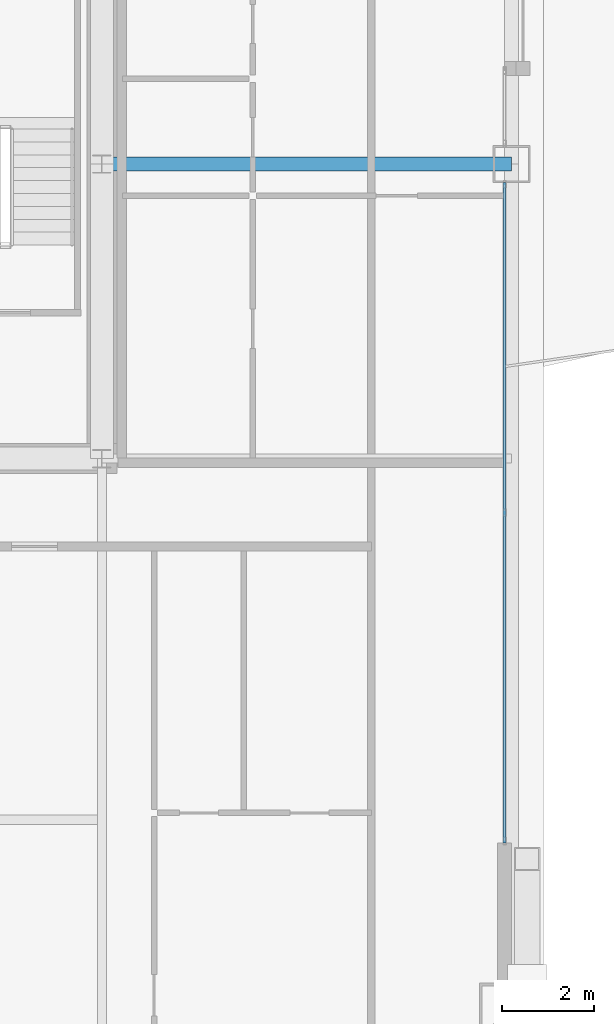
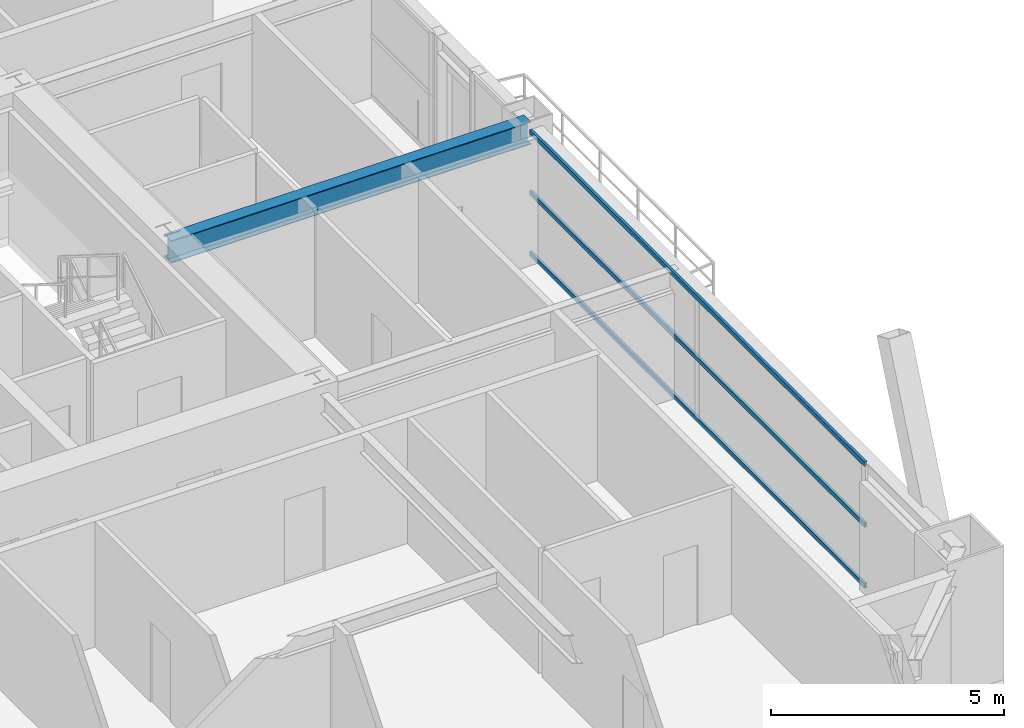
# One storey, part 25 of 45: 3 members, 1 beam, 1 element without a shape of its own.
"""IFC4 building model written with IfcOpenShell, lengths in metres."""

from ifc_helpers import new_model, si_unit, direction, frame, origin, origin_2d, place, context, subcontext, project, spatial, hollow_rectangle, i_section, extrude, source, transform, mapped, material, layer, layer_set, material_profile, profile_set, type_object, element, aggregate, save


model = new_model("IFC4")

# Units and contexts
model_context = context("Model", 3, precision=1e-05, world=origin(), true_north=direction((0.0, 1.0)))
body_context = subcontext(model_context, "Body", "Model", "MODEL_VIEW")
ifc_project = project(units=[si_unit("LENGTHUNIT", "METRE"), si_unit("AREAUNIT", "SQUARE_METRE"), si_unit("VOLUMEUNIT", "CUBIC_METRE"), si_unit("PLANEANGLEUNIT", "RADIAN"), si_unit("MASSUNIT", "GRAM", prefix="KILO"), si_unit("THERMODYNAMICTEMPERATUREUNIT", "KELVIN"), si_unit("POWERUNIT", "WATT")], contexts=[model_context])

# Site, building, storey
site_placement = place(None, origin())
site = spatial("IfcSite", under=ifc_project, at=site_placement, CompositionType="ELEMENT")
building_placement = place(site_placement, origin())
building = spatial("IfcBuilding", under=site, at=building_placement, Name="Yuzanri Waterfront Tower", CompositionType="ELEMENT")
storey_placement = place(building_placement, frame((0.0, 0.0, 191.5)))
storey = spatial("IfcBuildingStorey", under=building, at=storey_placement, Name="L50", CompositionType="ELEMENT", Elevation=191.5)

# Beam
ifc_material_1 = material(Name="Steel Q355B", Category="steel")
ifc_material_profile_1 = material_profile(ifc_material_1, i_section(OverallWidth=0.300048828125, OverallDepth=0.587890625, WebThickness=0.011962890625, FlangeThickness=0.02001953125, at=origin_2d()), Name="HM 588x300x12x20")
ifc_profile_set_1 = profile_set([ifc_material_profile_1], Name="Steel Q355B")
beam_type = type_object("IfcBeamType", Name="Primary Floor Girder Q355B HM 588x300", PredefinedType="BEAM", material=ifc_profile_set_1)
shared_shape_1 = source(origin(), body_context, "Body", "SweptSolid", [
    extrude(i_section(OverallWidth=0.300048828125, OverallDepth=0.587890625, WebThickness=0.011962890625, FlangeThickness=0.02001953125, at=origin_2d()), origin(), (0.0, 0.0, 1.0), 8.900146484375),
])
beam_placement = place(storey_placement, frame((50.199951171875, 25.800048828125, 2.986083984375), z_axis=(1.0, 0.0, 0.0), x_axis=(0.0, 1.0, 0.0)))
element("IfcBeam", 1, at=beam_placement, inside=storey, type_object=beam_type, Name="L50 East Grid Girder", PredefinedType="BEAM", context=body_context, shape_type="MappedRepresentation", body=[
    mapped(shared_shape_1, transform((0.0, 0.0, 0.0), scale=1.0)),
])

# Curtain wall, members
ifc_material_2 = material(Name="Anodized Architectural Bronze", Category="metal")
ifc_layer = layer(ifc_material_2, 0.159912109375)
ifc_layer_set = layer_set([ifc_layer], Name="Anodized Architectural Bronze")
curtain_wall_type = type_object("IfcCurtainWallType", Name="Anodized Bronze Mid-Rise Residential Acoustic Unitized Curtain Wall 7200", PredefinedType="NOTDEFINED", material=ifc_layer_set)
curtain_wall_placement = place(storey_placement, origin())
curtain_wall = element("IfcCurtainWall", 2, at=curtain_wall_placement, inside=storey, type_object=curtain_wall_type, Name="L50 Curtain Wall CW-L50-EL", PredefinedType="NOTDEFINED")
ifc_material_3 = material(Name="Anodized Architectural Bronze", Category="metal")
ifc_material_profile_2 = material_profile(ifc_material_3, hollow_rectangle(XDim=0.06494140625, YDim=0.1201171875, WallThickness=0.00341796875, at=origin_2d()), Name="CWT 65x120")
ifc_profile_set_2 = profile_set([ifc_material_profile_2], Name="Anodized Architectural Bronze")
member_type = type_object("IfcMemberType", Name="Anodized Bronze Secondary Curtain-Wall Transom 65x120", PredefinedType="USERDEFINED", material=ifc_profile_set_2)
shared_shape_2 = source(origin(), body_context, "Body", "SweptSolid", [
    extrude(hollow_rectangle(XDim=0.06494140625, YDim=0.1201171875, WallThickness=0.00341796875, at=origin_2d()), origin(), (0.0, 0.0, 1.0), 14.349853515625),
])
member_1_placement = place(storey_placement, frame((58.949951171875, 11.050048828125, 0.050048828125), z_axis=(0.0, 1.0, 0.0), x_axis=(-1.0, 0.0, 0.0)))
member_1 = element("IfcMember", 3, at=member_1_placement, type_object=member_type, Name="CW-L50-EL Transom 1", ObjectType="TRANSOM", PredefinedType="USERDEFINED", context=body_context, shape_type="MappedRepresentation", body=[
    mapped(shared_shape_2, transform((0.0, 0.0, 0.0), scale=1.0)),
])
member_2_placement = place(storey_placement, frame((58.949951171875, 11.050048828125, 1.639892578125), z_axis=(0.0, 1.0, 0.0), x_axis=(-1.0, 0.0, 0.0)))
member_2 = element("IfcMember", 4, at=member_2_placement, type_object=member_type, Name="CW-L50-EL Transom 2", ObjectType="TRANSOM", PredefinedType="USERDEFINED", context=body_context, shape_type="MappedRepresentation", body=[
    mapped(shared_shape_2, transform((0.0, 0.0, 0.0), scale=1.0)),
])
member_3_placement = place(storey_placement, frame((58.949951171875, 11.050048828125, 3.22998046875), z_axis=(0.0, 1.0, 0.0), x_axis=(-1.0, 0.0, 0.0)))
member_3 = element("IfcMember", 5, at=member_3_placement, type_object=member_type, Name="CW-L50-EL Transom 3", ObjectType="TRANSOM", PredefinedType="USERDEFINED", context=body_context, shape_type="MappedRepresentation", body=[
    mapped(shared_shape_2, transform((0.0, 0.0, 0.0), scale=1.0)),
])
aggregate(curtain_wall, [member_1, member_2, member_3])

save(model, "model.ifc")
